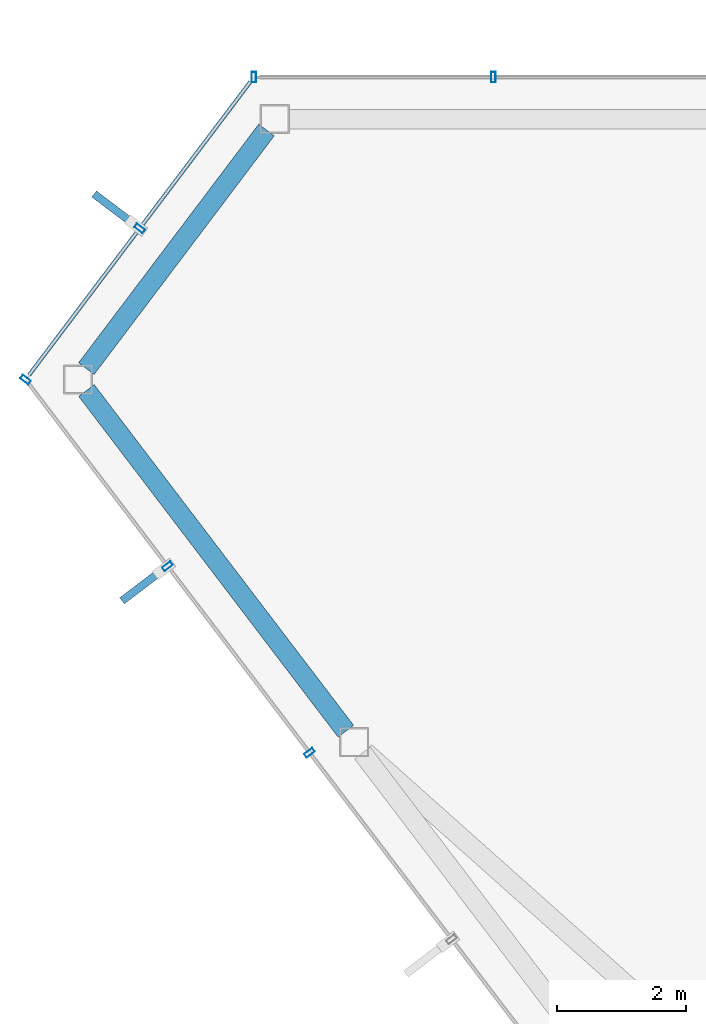
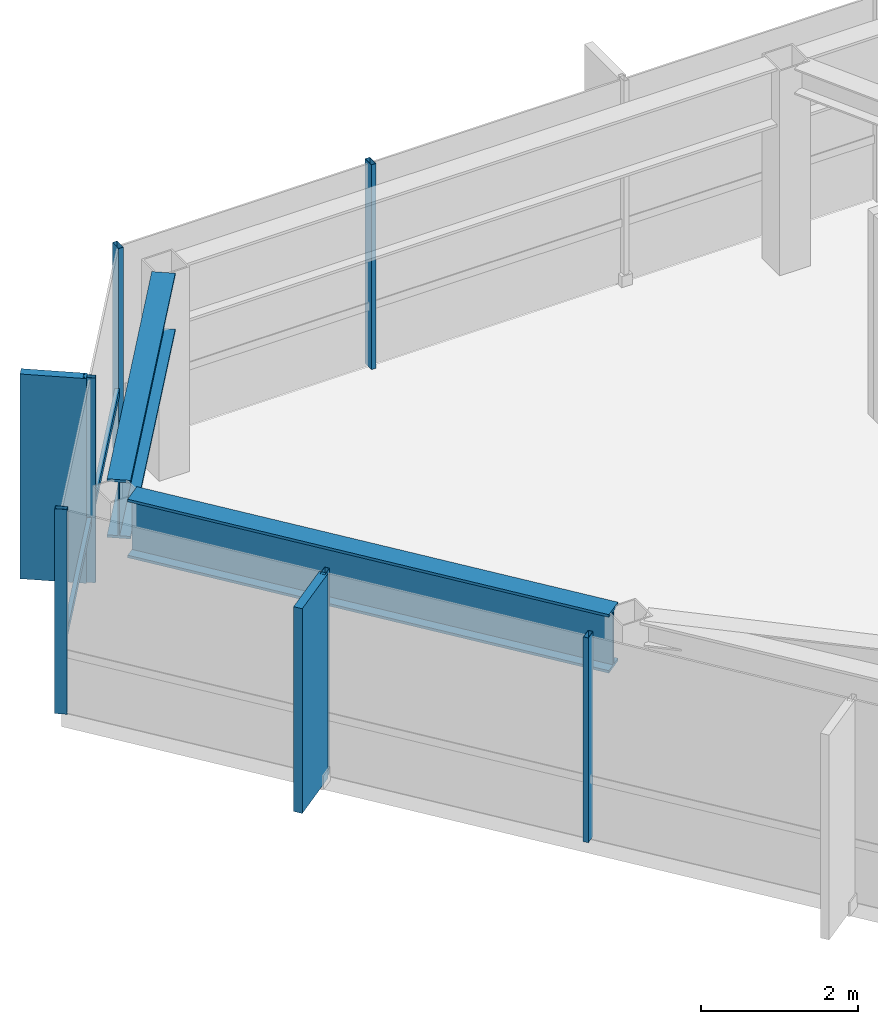
# One storey, part 10 of 23: 9 members, 2 beams, 3 elements without a shape of their own.
"""IFC4 building model written with IfcOpenShell, lengths in metres."""

from ifc_helpers import new_model, si_unit, direction, frame, origin, origin_2d, place, context, subcontext, project, spatial, rectangle, hollow_rectangle, i_section, extrude, material, layer, layer_set, material_profile, profile_set, type_object, element, aggregate, save


model = new_model("IFC4")

# Units and contexts
model_context = context("Model", 3, precision=1e-05, world=origin(), true_north=direction((0.0, 1.0)))
body_context = subcontext(model_context, "Body", "Model", "MODEL_VIEW")
ifc_project = project(units=[si_unit("LENGTHUNIT", "METRE"), si_unit("AREAUNIT", "SQUARE_METRE"), si_unit("VOLUMEUNIT", "CUBIC_METRE"), si_unit("PLANEANGLEUNIT", "RADIAN"), si_unit("MASSUNIT", "GRAM", prefix="KILO")], contexts=[model_context])

# Site, building, storey
site_placement = place(None, origin())
site = spatial("IfcSite", under=ifc_project, at=site_placement, CompositionType="ELEMENT")
building_placement = place(site_placement, origin())
building = spatial("IfcBuilding", under=site, at=building_placement, Name="Zarrinselat Tower", CompositionType="ELEMENT")
storey_placement = place(building_placement, frame((0.0, 0.0, 278.800048828125)))
storey = spatial("IfcBuildingStorey", under=building, at=storey_placement, Name="L71", CompositionType="ELEMENT", Elevation=278.800048828125)

# Beams
ifc_material_1 = material(Name="Steel S460M", Category="steel")
ifc_material_profile_1 = material_profile(ifc_material_1, i_section(OverallWidth=0.302001953125, OverallDepth=0.909912109375, WebThickness=0.02099609375, FlangeThickness=0.0400390625, at=origin_2d()), Name="HEM 900")
ifc_profile_set_1 = profile_set([ifc_material_profile_1], Name="Steel S460M")
beam_type = type_object("IfcBeamType", Name="BM-HEM900", PredefinedType="BEAM", material=ifc_profile_set_1)
beam_1_placement = place(storey_placement, frame((17.24755859375, 43.11572265625, 2.724853515625), z_axis=(0.602467720264, 0.798143249073, 0.0), x_axis=(-0.798143249073, 0.602467720264, 0.0)))
element("IfcBeam", 1, at=beam_1_placement, inside=storey, type_object=beam_type, Name="L71 Perimeter Spandrel Girder SP05", PredefinedType="BEAM", context=body_context, shape_type="SweptSolid", body=[
    extrude(i_section(OverallWidth=0.302001953125, OverallDepth=0.909912109375, WebThickness=0.02099609375, FlangeThickness=0.0400390625, at=origin_2d()), origin(), (0.0, 0.0, 1.0), 4.632568359375),
])
beam_2_placement = place(storey_placement, frame((17.248291015625, 42.776123046875, 2.724853515625), z_axis=(0.605793795284, -0.795621692512, 0.0), x_axis=(0.795621692512, 0.605793795284, 0.0)))
element("IfcBeam", 2, at=beam_2_placement, inside=storey, type_object=beam_type, Name="L71 Perimeter Spandrel Girder SP06", PredefinedType="BEAM", context=body_context, shape_type="SweptSolid", body=[
    extrude(i_section(OverallWidth=0.302001953125, OverallDepth=0.909912109375, WebThickness=0.02099609375, FlangeThickness=0.0400390625, at=origin_2d()), origin(), (0.0, 0.0, 1.0), 6.636474609375),
])

# Curtain wall, members
ifc_material_2 = material(Name="Extruded Aluminium Alloy EN AW-6063 T6", Category="aluminium")
ifc_layer = layer(ifc_material_2, 0.169921875)
ifc_layer_set = layer_set([ifc_layer], Name="Extruded Aluminium Alloy EN AW-6063 T6")
curtain_wall_type = type_object("IfcCurtainWallType", Name="CWS-RES", PredefinedType="NOTDEFINED", material=ifc_layer_set)
curtain_wall_1_placement = place(storey_placement, origin())
curtain_wall_1 = element("IfcCurtainWall", 3, at=curtain_wall_1_placement, inside=storey, type_object=curtain_wall_type, Name="L71 Unitised Curtain Wall CW-L71-E01", PredefinedType="NOTDEFINED")
ifc_material_3 = material(Name="Extruded Aluminium Alloy EN AW-6063 T6", Category="aluminium")
ifc_material_profile_2 = material_profile(ifc_material_3, hollow_rectangle(XDim=0.070068359375, YDim=0.159912109375, WallThickness=0.00390625, at=origin_2d()), Name="RHS 160x70x4")
ifc_profile_set_2 = profile_set([ifc_material_profile_2], Name="Extruded Aluminium Alloy EN AW-6063 T6")
member_type_1 = type_object("IfcMemberType", Name="MEM-CW-MUL2", PredefinedType="MULLION", material=ifc_profile_set_2)
member_1_placement = place(storey_placement, frame((23.55419921875, 47.63330078125, 0.0), z_axis=(0.0, 0.0, 1.0), x_axis=(-1.0, 0.0, 0.0)))
member_1 = element("IfcMember", 4, at=member_1_placement, type_object=member_type_1, Name="CW-L71-E01 Mullion 12", PredefinedType="MULLION", context=body_context, shape_type="SweptSolid", body=[
    extrude(hollow_rectangle(XDim=0.070068359375, YDim=0.159912109375, WallThickness=0.00390625, at=origin_2d()), origin(), (0.0, 0.0, 1.0), 3.179931640625),
])
member_2_placement = place(storey_placement, frame((19.843017578125, 47.63330078125, 0.0), z_axis=(0.0, 0.0, 1.0), x_axis=(-1.0, 0.0, 0.0)))
member_2 = element("IfcMember", 5, at=member_2_placement, type_object=member_type_1, Name="CW-L71-E01 Mullion 13", PredefinedType="MULLION", context=body_context, shape_type="SweptSolid", body=[
    extrude(hollow_rectangle(XDim=0.070068359375, YDim=0.159912109375, WallThickness=0.00390625, at=origin_2d()), origin(), (0.0, 0.0, 1.0), 3.179931640625),
])
aggregate(curtain_wall_1, [member_1, member_2])

curtain_wall_2_placement = place(storey_placement, origin())
curtain_wall_2 = element("IfcCurtainWall", 6, at=curtain_wall_2_placement, inside=storey, type_object=curtain_wall_type, Name="L71 Unitised Curtain Wall CW-L71-E02", PredefinedType="NOTDEFINED")
member_3_placement = place(storey_placement, frame((18.0732421875, 45.288818359375, 0.0), z_axis=(0.0, 0.0, 1.0), x_axis=(-0.602440051683, -0.798164133577, 0.0)))
member_3 = element("IfcMember", 7, at=member_3_placement, type_object=member_type_1, Name="CW-L71-E02 Mullion 1", PredefinedType="MULLION", context=body_context, shape_type="SweptSolid", body=[
    extrude(hollow_rectangle(XDim=0.070068359375, YDim=0.159912109375, WallThickness=0.00390625, at=origin_2d()), origin(), (0.0, 0.0, 1.0), 3.179931640625),
])
member_4_placement = place(storey_placement, frame((16.3037109375, 42.944091796875, 0.0), z_axis=(0.0, 0.0, 1.0), x_axis=(-0.602440051683, -0.798164133577, 0.0)))
member_4 = element("IfcMember", 8, at=member_4_placement, type_object=member_type_1, Name="CW-L71-E02 Mullion 2", PredefinedType="MULLION", context=body_context, shape_type="SweptSolid", body=[
    extrude(hollow_rectangle(XDim=0.070068359375, YDim=0.159912109375, WallThickness=0.00390625, at=origin_2d()), origin(), (0.0, 0.0, 1.0), 3.179931640625),
])

curtain_wall_3_placement = place(storey_placement, origin())
curtain_wall_3 = element("IfcCurtainWall", 9, at=curtain_wall_3_placement, inside=storey, type_object=curtain_wall_type, Name="L71 Unitised Curtain Wall CW-L71-E03", PredefinedType="NOTDEFINED")
member_5_placement = place(storey_placement, frame((18.50439453125, 40.053466796875, 0.0), z_axis=(0.0, 0.0, 1.0), x_axis=(0.60576733126, -0.795641841772, 0.0)))
member_5 = element("IfcMember", 10, at=member_5_placement, type_object=member_type_1, Name="CW-L71-E03 Mullion 1", PredefinedType="MULLION", context=body_context, shape_type="SweptSolid", body=[
    extrude(hollow_rectangle(XDim=0.070068359375, YDim=0.159912109375, WallThickness=0.00390625, at=origin_2d()), origin(), (0.0, 0.0, 1.0), 3.179931640625),
])
member_6_placement = place(storey_placement, frame((20.705078125, 37.162841796875, 0.0), z_axis=(0.0, 0.0, 1.0), x_axis=(0.60576733126, -0.795641841772, 0.0)))
member_6 = element("IfcMember", 11, at=member_6_placement, type_object=member_type_1, Name="CW-L71-E03 Mullion 2", PredefinedType="MULLION", context=body_context, shape_type="SweptSolid", body=[
    extrude(hollow_rectangle(XDim=0.070068359375, YDim=0.159912109375, WallThickness=0.00390625, at=origin_2d()), origin(), (0.0, 0.0, 1.0), 3.179931640625),
])

# Member
ifc_material_4 = material(Name="Extruded Aluminium Alloy EN AW-6063 T6", Category="aluminium")
ifc_material_profile_3 = material_profile(ifc_material_4, hollow_rectangle(XDim=0.06005859375, YDim=0.1201171875, WallThickness=0.00390625, at=origin_2d()), Name="RHS 120x60x4")
ifc_profile_set_3 = profile_set([ifc_material_profile_3], Name="Extruded Aluminium Alloy EN AW-6063 T6")
member_type_2 = type_object("IfcMemberType", Name="MEM-CW-TRN2", PredefinedType="USERDEFINED", material=ifc_profile_set_3)
member_7_placement = place(storey_placement, frame((19.788818359375, 47.5615234375, 0.949951171875), z_axis=(-0.602432156167, -0.79817009291, 0.0), x_axis=(0.79817009291, -0.602432156167, 0.0)))
member_7 = element("IfcMember", 12, at=member_7_placement, type_object=member_type_2, Name="CW-L71-E02 Transom 1", ObjectType="TRANSOM", PredefinedType="USERDEFINED", context=body_context, shape_type="SweptSolid", body=[
    extrude(hollow_rectangle(XDim=0.06005859375, YDim=0.1201171875, WallThickness=0.00390625, at=origin_2d()), origin(), (0.0, 0.0, 1.0), 5.695068359375),
])

ifc_material_5 = material(Name="Honed Cream Travertine Stone", Category="masonry")
ifc_material_profile_4 = material_profile(ifc_material_5, rectangle(XDim=0.1201171875, YDim=0.85009765625, at=origin_2d()), Name="FIN 850x120")
ifc_profile_set_4 = profile_set([ifc_material_profile_4], Name="Honed Cream Travertine Stone")
member_type_3 = type_object("IfcMemberType", Name="MEM-STONE-FIN", PredefinedType="USERDEFINED", material=ifc_profile_set_4)
member_8_placement = place(storey_placement, frame((17.7060546875, 45.56591796875, 0.0), z_axis=(0.0, 0.0, 1.0), x_axis=(0.602440051683, 0.798164133577, 0.0)))
member_8 = element("IfcMember", 13, at=member_8_placement, type_object=member_type_3, Name="L71 Stone Shading Fin CW-L71-E02-01", ObjectType="FIN", PredefinedType="USERDEFINED", context=body_context, shape_type="SweptSolid", body=[
    extrude(rectangle(XDim=0.1201171875, YDim=0.85009765625, at=origin_2d()), origin(), (0.0, 0.0, 1.0), 3.179931640625),
])

aggregate(curtain_wall_2, [member_3, member_8, member_4, member_7])

member_9_placement = place(storey_placement, frame((18.138427734375, 39.774658203125, 0.0), z_axis=(0.0, 0.0, 1.0), x_axis=(-0.60576733126, 0.795641841772, 0.0)))
member_9 = element("IfcMember", 14, at=member_9_placement, type_object=member_type_3, Name="L71 Stone Shading Fin CW-L71-E03-01", ObjectType="FIN", PredefinedType="USERDEFINED", context=body_context, shape_type="SweptSolid", body=[
    extrude(rectangle(XDim=0.1201171875, YDim=0.85009765625, at=origin_2d()), origin(), (0.0, 0.0, 1.0), 3.179931640625),
])

aggregate(curtain_wall_3, [member_5, member_9, member_6])

save(model, "model.ifc")
